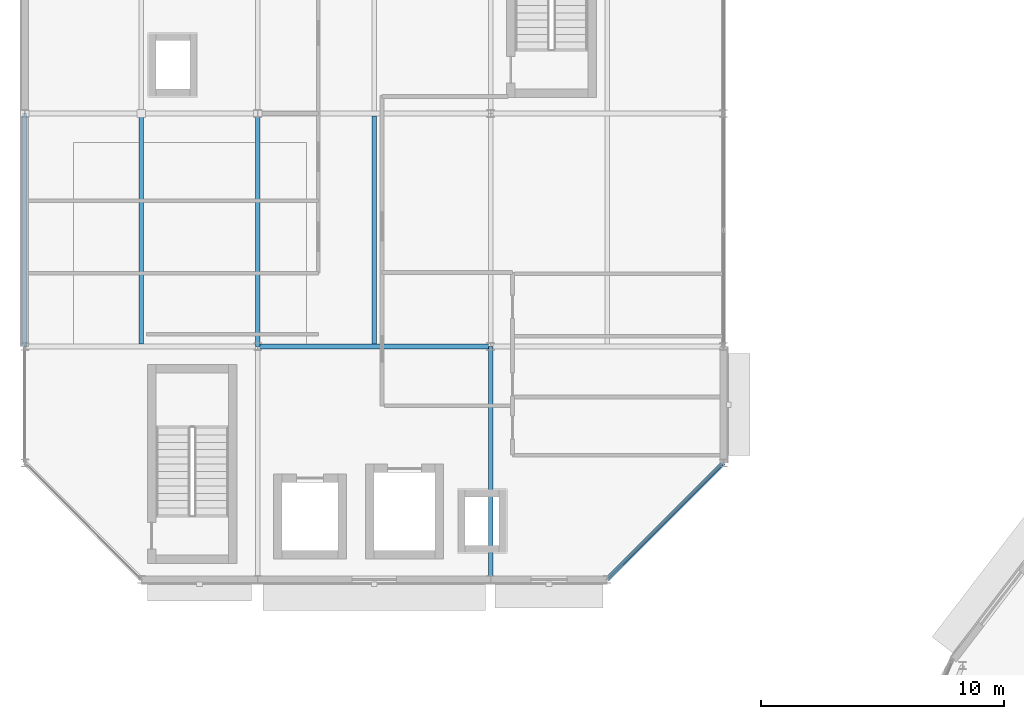
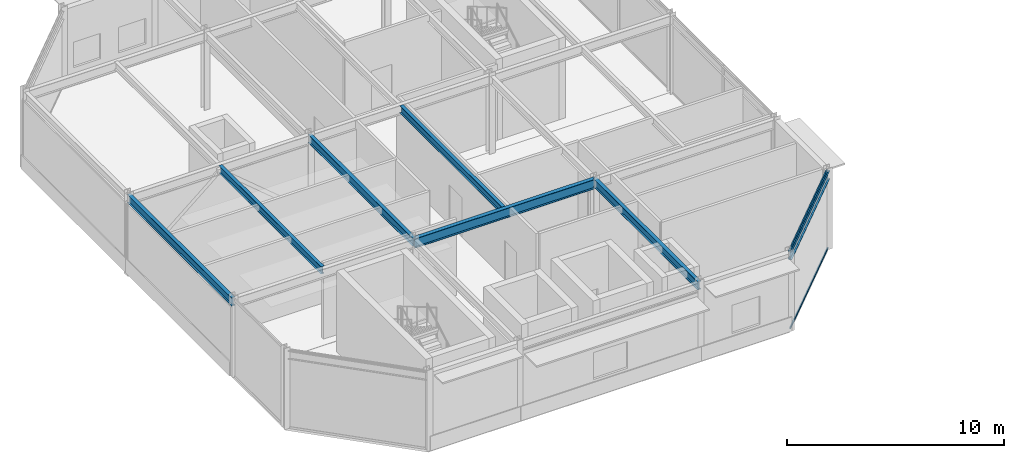
# One storey, part 23 of 89: 7 beams, 2 members, 1 element without a shape of its own.
"""IFC4 building model written with IfcOpenShell, lengths in metres."""

from ifc_helpers import new_model, si_unit, direction, frame, origin, origin_2d, place, context, subcontext, project, spatial, hollow_rectangle, i_section, extrude, material, material_profile, profile_set, type_object, element, aggregate, save


model = new_model("IFC4")

# Units and contexts
model_context = context("Model", 3, precision=1e-05, world=origin(), true_north=direction((0.0, 1.0)))
body_context = subcontext(model_context, "Body", "Model", "MODEL_VIEW")
ifc_project = project(units=[si_unit("LENGTHUNIT", "METRE"), si_unit("AREAUNIT", "SQUARE_METRE"), si_unit("VOLUMEUNIT", "CUBIC_METRE"), si_unit("PLANEANGLEUNIT", "RADIAN"), si_unit("MASSUNIT", "GRAM", prefix="KILO")], contexts=[model_context])

# Site, building, storey
site_placement = place(None, origin())
site = spatial("IfcSite", under=ifc_project, at=site_placement, CompositionType="ELEMENT")
building_placement = place(site_placement, origin())
building = spatial("IfcBuilding", under=site, at=building_placement, Name="Almandine Court Research Institute", CompositionType="ELEMENT")
storey_placement = place(building_placement, frame((0.0, 0.0, 18.89990234375)))
storey = spatial("IfcBuildingStorey", under=building, at=storey_placement, Name="L04", CompositionType="ELEMENT", Elevation=18.89990234375)

# Beams
ifc_material_1 = material(Name="Steel ASTM A992 Grade 50", Category="steel")
ifc_material_profile_1 = material_profile(ifc_material_1, i_section(OverallWidth=0.18994140625, OverallDepth=0.45703125, WebThickness=0.009033203125, FlangeThickness=0.014892578125, at=origin_2d()), Name="W460x74")
ifc_profile_set_1 = profile_set([ifc_material_profile_1], Name="Steel ASTM A992 Grade 50")
beam_type_1 = type_object("IfcBeamType", Name="Beam-B-01", PredefinedType="BEAM", material=ifc_profile_set_1)
beam_1_placement = place(storey_placement, frame((25.199951171875, 84.0, 4.14111328125), z_axis=(0.0, 1.0, 0.0), x_axis=(-1.0, 0.0, 0.0)))
element("IfcBeam", 1, at=beam_1_placement, inside=storey, type_object=beam_type_1, Name="L04 V3 Primary Y Girder", PredefinedType="BEAM", context=body_context, shape_type="SweptSolid", body=[
    extrude(i_section(OverallWidth=0.18994140625, OverallDepth=0.45703125, WebThickness=0.009033203125, FlangeThickness=0.014892578125, at=origin_2d()), origin(), (0.0, 0.0, 1.0), 9.60009765625),
])
beam_2_placement = place(storey_placement, frame((15.60009765625, 93.60009765625, 4.14111328125), z_axis=(0.0, 1.0, 0.0), x_axis=(-1.0, 0.0, 0.0)))
element("IfcBeam", 2, at=beam_2_placement, inside=storey, type_object=beam_type_1, Name="L04 V3 Primary Y Girder", PredefinedType="BEAM", context=body_context, shape_type="SweptSolid", body=[
    extrude(i_section(OverallWidth=0.18994140625, OverallDepth=0.45703125, WebThickness=0.009033203125, FlangeThickness=0.014892578125, at=origin_2d()), origin(), (0.0, 0.0, 1.0), 9.599853515625),
])
ifc_material_profile_2 = material_profile(ifc_material_1, i_section(OverallWidth=0.178955078125, OverallDepth=0.409912109375, WebThickness=0.009033203125, FlangeThickness=0.013916015625, at=origin_2d()), Name="W410x67")
ifc_profile_set_2 = profile_set([ifc_material_profile_2], Name="Steel ASTM A992 Grade 50")
beam_type_2 = type_object("IfcBeamType", Name="Beam-B-02", PredefinedType="JOIST", material=ifc_profile_set_2)
for number, where, z_axis, x_axis, name in (
    (3, (10.800048828125, 93.702880859375, 4.1650390625), (0.0, 1.0, 0.0), (-1.0, 0.0, 0.0), "L04 V3 Composite Secondary Beam"),
    (4, (20.39990234375, 93.702880859375, 4.1650390625), (0.0, 1.0, 0.0), (-1.0, 0.0, 0.0), "L04 V3 Composite Secondary Beam"),
):
    element("IfcBeam", number, at=place(storey_placement, frame(where, z_axis=z_axis, x_axis=x_axis)), inside=storey, type_object=beam_type_2, Name=name, PredefinedType="JOIST", context=body_context, shape_type="SweptSolid", body=[
        extrude(i_section(OverallWidth=0.178955078125, OverallDepth=0.409912109375, WebThickness=0.009033203125, FlangeThickness=0.013916015625, at=origin_2d()), origin(), (0.0, 0.0, 1.0), 9.39404296875),
    ])
ifc_material_profile_3 = material_profile(ifc_material_1, i_section(OverallWidth=0.2109375, OverallDepth=0.5390625, WebThickness=0.011962890625, FlangeThickness=0.01904296875, at=origin_2d()), Name="W530x109")
ifc_profile_set_3 = profile_set([ifc_material_profile_3], Name="Steel ASTM A992 Grade 50")
beam_type_3 = type_object("IfcBeamType", Name="Beam-G-04", PredefinedType="BEAM", material=ifc_profile_set_3)
beam_3_placement = place(storey_placement, frame((15.60009765625, 93.60009765625, 4.10009765625), z_axis=(1.0, 0.0, 0.0), x_axis=(0.0, 1.0, 0.0)))
element("IfcBeam", 5, at=beam_3_placement, inside=storey, type_object=beam_type_3, Name="L04 V3 Primary X Girder", PredefinedType="BEAM", context=body_context, shape_type="SweptSolid", body=[
    extrude(i_section(OverallWidth=0.2109375, OverallDepth=0.5390625, WebThickness=0.011962890625, FlangeThickness=0.01904296875, at=origin_2d()), origin(), (0.0, 0.0, 1.0), 9.599853515625),
])
ifc_material_profile_4 = material_profile(ifc_material_1, i_section(OverallWidth=0.193115234375, OverallDepth=0.466064453125, WebThickness=0.010986328125, FlangeThickness=0.01904296875, at=origin_2d()), Name="W460x97")
ifc_profile_set_4 = profile_set([ifc_material_profile_4], Name="Steel ASTM A992 Grade 50")
beam_type_4 = type_object("IfcBeamType", Name="Beam-G-06-E", PredefinedType="SPANDREL", material=ifc_profile_set_4)
beam_4_placement = place(storey_placement, frame((6.0, 93.60009765625, 4.13720703125), z_axis=(0.0, 1.0, 0.0), x_axis=(-1.0, 0.0, 0.0)))
element("IfcBeam", 6, at=beam_4_placement, inside=storey, type_object=beam_type_4, Name="L04 V3 Primary Y Girder", PredefinedType="SPANDREL", context=body_context, shape_type="SweptSolid", body=[
    extrude(i_section(OverallWidth=0.193115234375, OverallDepth=0.466064453125, WebThickness=0.010986328125, FlangeThickness=0.01904296875, at=origin_2d()), origin(), (0.0, 0.0, 1.0), 9.599853515625),
])
beam_5_placement = place(storey_placement, frame((30.0, 84.0, 4.13720703125), z_axis=(0.707106781187, 0.707106781187, 0.0), x_axis=(-0.707106781187, 0.707106781187, 0.0)))
element("IfcBeam", 7, at=beam_5_placement, inside=storey, type_object=beam_type_4, Name="L04 V3 Octagonal Chamfer Spandrel", PredefinedType="SPANDREL", context=body_context, shape_type="SweptSolid", body=[
    extrude(i_section(OverallWidth=0.193115234375, OverallDepth=0.466064453125, WebThickness=0.010986328125, FlangeThickness=0.01904296875, at=origin_2d()), origin(), (0.0, 0.0, 1.0), 6.788330078125),
])

# Curtain wall, members
ifc_material_2 = material(Name="Unitised Curtain Wall Framing and Solar Glazing", Category="glass")
curtain_wall_type = type_object("IfcCurtainWallType", Name="CW-CWG-08", PredefinedType="USERDEFINED", material=ifc_material_2)
curtain_wall_placement = place(storey_placement, origin())
curtain_wall = element("IfcCurtainWall", 8, at=curtain_wall_placement, inside=storey, type_object=curtain_wall_type, Name="L04 Cleanroom SE Chamfer Glazing", ObjectType="UNITISED GLAZING", PredefinedType="USERDEFINED")
ifc_material_3 = material(Name="Anodised Aluminium AW-6063-T6", Category="aluminium")
ifc_material_profile_5 = material_profile(ifc_material_3, hollow_rectangle(XDim=0.06005859375, YDim=0.110107421875, WallThickness=0.00390625, at=origin_2d()), Name="ALU RHS 60x110x4")
ifc_profile_set_5 = profile_set([ifc_material_profile_5], Name="Anodised Aluminium AW-6063-T6")
member_type = type_object("IfcMemberType", Name="CWTrn-60x110", PredefinedType="NOTDEFINED", material=ifc_profile_set_5)
member_1_placement = place(storey_placement, frame((34.753662109375, 88.753662109375, 0.030029296875), z_axis=(-0.707106781187, -0.707106781187, 0.0), x_axis=(0.707106781187, -0.707106781187, 0.0)))
member_1 = element("IfcMember", 9, at=member_1_placement, type_object=member_type, Name="CWG-08 transom 1.1", ObjectType="TRANSOM", PredefinedType="USERDEFINED", context=body_context, shape_type="SweptSolid", body=[
    extrude(hollow_rectangle(XDim=0.06005859375, YDim=0.110107421875, WallThickness=0.00390625, at=origin_2d()), origin(), (0.0, 0.0, 1.0), 6.656982421875),
])
member_2_placement = place(storey_placement, frame((34.753662109375, 88.753662109375, 4.340087890625), z_axis=(-0.707106781187, -0.707106781187, 0.0), x_axis=(0.707106781187, -0.707106781187, 0.0)))
member_2 = element("IfcMember", 10, at=member_2_placement, type_object=member_type, Name="CWG-08 transom 1.2", ObjectType="TRANSOM", PredefinedType="USERDEFINED", context=body_context, shape_type="SweptSolid", body=[
    extrude(hollow_rectangle(XDim=0.06005859375, YDim=0.110107421875, WallThickness=0.00390625, at=origin_2d()), origin(), (0.0, 0.0, 1.0), 6.656982421875),
])
aggregate(curtain_wall, [member_1, member_2])

save(model, "model.ifc")
